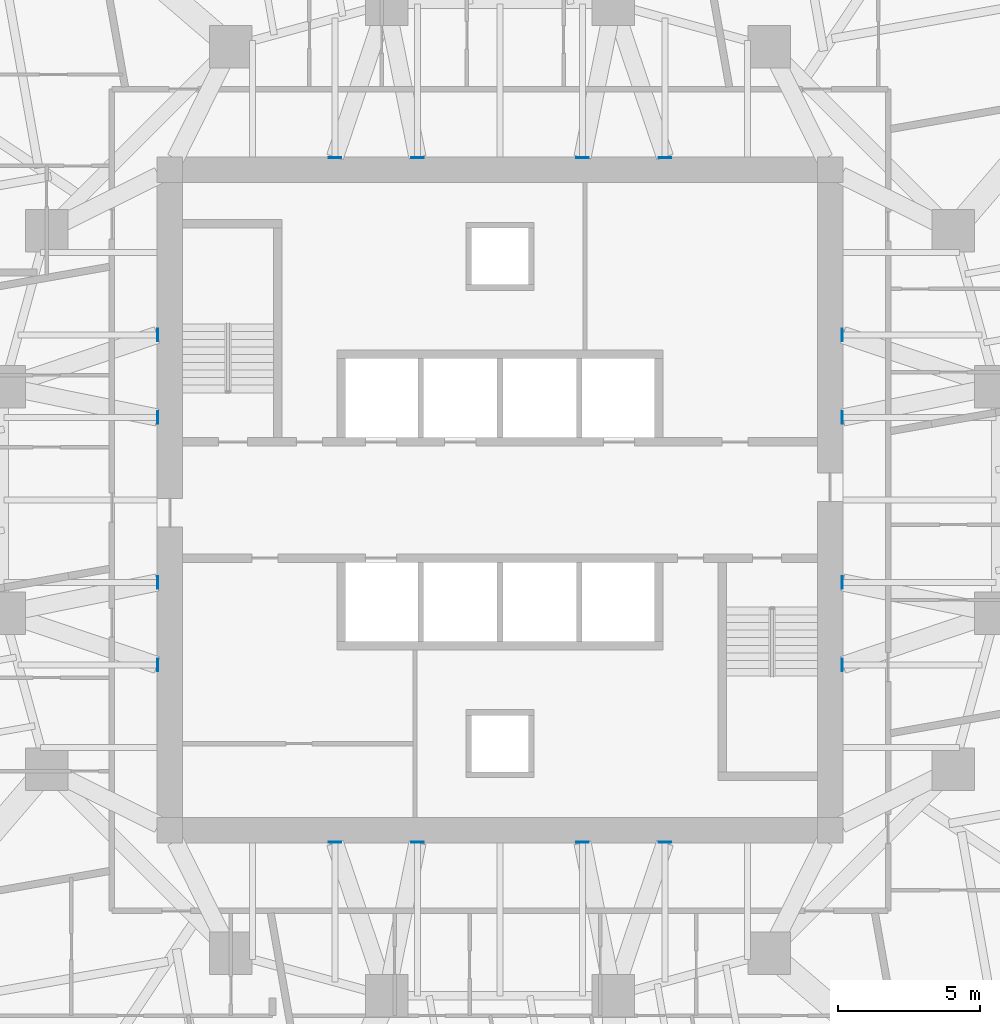
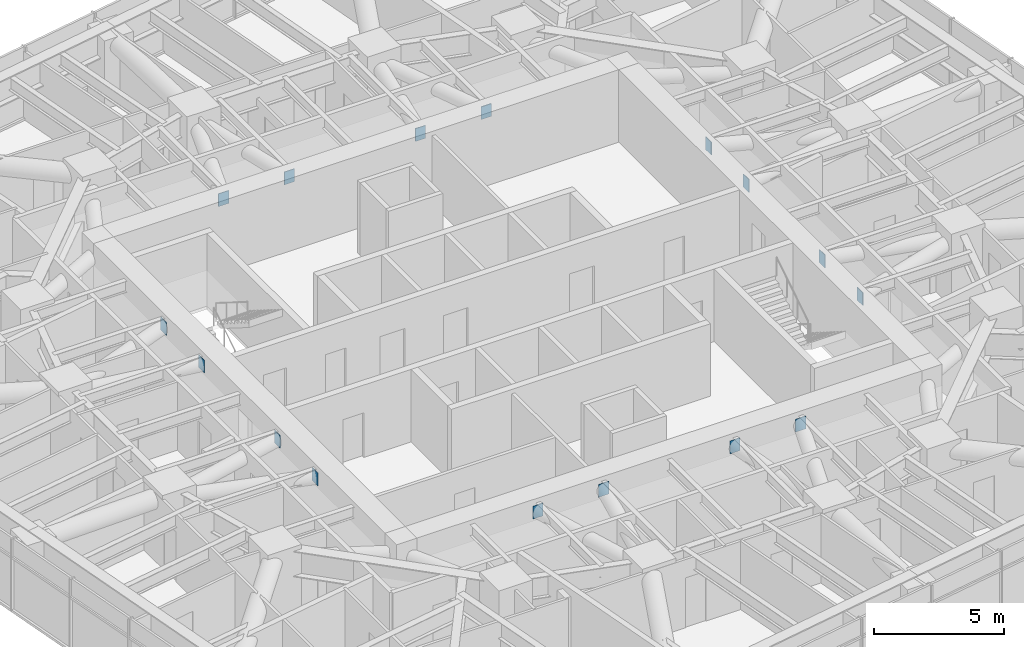
# One storey, part 16 of 17: 16 discrete accessories.
"""IFC4 building model written with IfcOpenShell, lengths in metres."""

from ifc_helpers import new_model, si_unit, direction, frame, origin, origin_2d, place, context, subcontext, project, spatial, rectangle, extrude, material, layer, layer_set, type_object, element, save


model = new_model("IFC4")

# Units and contexts
model_context = context("Model", 3, precision=1e-05, world=origin(), true_north=direction((0.0, 1.0)))
body_context = subcontext(model_context, "Body", "Model", "MODEL_VIEW")
ifc_project = project(units=[si_unit("LENGTHUNIT", "METRE"), si_unit("AREAUNIT", "SQUARE_METRE"), si_unit("VOLUMEUNIT", "CUBIC_METRE"), si_unit("PLANEANGLEUNIT", "RADIAN"), si_unit("MASSUNIT", "GRAM", prefix="KILO")], contexts=[model_context])

# Site, building, storey
site_placement = place(None, origin())
site = spatial("IfcSite", under=ifc_project, at=site_placement, CompositionType="ELEMENT")
building_placement = place(site_placement, origin())
building = spatial("IfcBuilding", under=site, at=building_placement, Name="Torsade Residences", CompositionType="ELEMENT")
storey_placement = place(building_placement, frame((0.0, 0.0, 103.199951171875)))
storey = spatial("IfcBuildingStorey", under=building, at=storey_placement, Name="L28", CompositionType="ELEMENT", Elevation=103.199951171875)

# Discrete accessories
ifc_material = material(Name="Steel grade 350", Category="steel")
ifc_layer = layer(ifc_material, 0.031982421875)
ifc_layer_set = layer_set([ifc_layer], Name="Steel grade 350")
discrete_accessory_type = type_object("IfcDiscreteAccessoryType", Name="CAST-IN PLATE 450x600x32", PredefinedType="ANCHORPLATE", material=ifc_layer_set)
for number, where, z_axis, x_axis, name in (
    (1, (52.083984375, 27.08740234375, 2.486083984375), (0.0, 0.0, 1.0), (1.0, 0.0, 0.0), "Cast-in plate PB1 PB-L29-IR01IE03"),
    (2, (52.083984375, 24.175048828125, 2.486083984375), (0.0, 0.0, 1.0), (1.0, 0.0, 0.0), "Cast-in plate PB1 PB-L29-IR01IE02"),
    (3, (52.083984375, 32.91259765625, 2.486083984375), (0.0, 0.0, 1.0), (1.0, 0.0, 0.0), "Cast-in plate PB1 PB-L29-IR02IE05"),
    (4, (52.083984375, 35.824951171875, 2.486083984375), (0.0, 0.0, 1.0), (1.0, 0.0, 0.0), "Cast-in plate PB1 PB-L29-IR02IE06"),
):
    element("IfcDiscreteAccessory", number, at=place(storey_placement, frame(where, z_axis=z_axis, x_axis=x_axis)), inside=storey, type_object=discrete_accessory_type, Name=name, PredefinedType="ANCHORPLATE", context=body_context, shape_type="SweptSolid", body=[
        extrude(rectangle(XDim=0.031982421875, YDim=0.449951171875, at=origin_2d()), origin(), (0.0, 0.0, 1.0), 0.60009765625),
    ])
for number, where, z_axis, x_axis, name in (
    (5, (42.91259765625, 42.083984375, 2.486083984375), (0.0, 0.0, 1.0), (1.0, 0.0, 0.0), "Cast-in plate PB1 PB-L29-IR05IN05"),
    (6, (45.824951171875, 42.083984375, 2.486083984375), (0.0, 0.0, 1.0), (1.0, 0.0, 0.0), "Cast-in plate PB1 PB-L29-IR05IN06"),
    (7, (37.08740234375, 42.083984375, 2.486083984375), (0.0, 0.0, 1.0), (1.0, 0.0, 0.0), "Cast-in plate PB1 PB-L29-IR06IN03"),
    (8, (34.175048828125, 42.083984375, 2.486083984375), (0.0, 0.0, 1.0), (1.0, 0.0, 0.0), "Cast-in plate PB1 PB-L29-IR06IN02"),
):
    element("IfcDiscreteAccessory", number, at=place(storey_placement, frame(where, z_axis=z_axis, x_axis=x_axis)), inside=storey, type_object=discrete_accessory_type, Name=name, PredefinedType="ANCHORPLATE", context=body_context, shape_type="SweptSolid", body=[
        extrude(rectangle(XDim=0.449951171875, YDim=0.031982421875, at=origin_2d()), origin(), (0.0, 0.0, 1.0), 0.60009765625),
    ])
for number, where, z_axis, x_axis, name in (
    (9, (27.916015625, 32.91259765625, 2.486083984375), (0.0, 0.0, 1.0), (1.0, 0.0, 0.0), "Cast-in plate PB1 PB-L29-IR09IW03"),
    (10, (27.916015625, 35.824951171875, 2.486083984375), (0.0, 0.0, 1.0), (1.0, 0.0, 0.0), "Cast-in plate PB1 PB-L29-IR09IW02"),
    (11, (27.916015625, 27.08740234375, 2.486083984375), (0.0, 0.0, 1.0), (1.0, 0.0, 0.0), "Cast-in plate PB1 PB-L29-IR10IW05"),
    (12, (27.916015625, 24.175048828125, 2.486083984375), (0.0, 0.0, 1.0), (1.0, 0.0, 0.0), "Cast-in plate PB1 PB-L29-IR10IW06"),
):
    element("IfcDiscreteAccessory", number, at=place(storey_placement, frame(where, z_axis=z_axis, x_axis=x_axis)), inside=storey, type_object=discrete_accessory_type, Name=name, PredefinedType="ANCHORPLATE", context=body_context, shape_type="SweptSolid", body=[
        extrude(rectangle(XDim=0.031982421875, YDim=0.449951171875, at=origin_2d()), origin(), (0.0, 0.0, 1.0), 0.60009765625),
    ])
for number, where, z_axis, x_axis, name in (
    (13, (37.08740234375, 17.916015625, 2.486083984375), (0.0, 0.0, 1.0), (1.0, 0.0, 0.0), "Cast-in plate PB1 PB-L29-IR13IS05"),
    (14, (34.175048828125, 17.916015625, 2.486083984375), (0.0, 0.0, 1.0), (1.0, 0.0, 0.0), "Cast-in plate PB1 PB-L29-IR13IS06"),
    (15, (42.91259765625, 17.916015625, 2.486083984375), (0.0, 0.0, 1.0), (1.0, 0.0, 0.0), "Cast-in plate PB1 PB-L29-IR14IS03"),
    (16, (45.824951171875, 17.916015625, 2.486083984375), (0.0, 0.0, 1.0), (1.0, 0.0, 0.0), "Cast-in plate PB1 PB-L29-IR14IS02"),
):
    element("IfcDiscreteAccessory", number, at=place(storey_placement, frame(where, z_axis=z_axis, x_axis=x_axis)), inside=storey, type_object=discrete_accessory_type, Name=name, PredefinedType="ANCHORPLATE", context=body_context, shape_type="SweptSolid", body=[
        extrude(rectangle(XDim=0.449951171875, YDim=0.031982421875, at=origin_2d()), origin(), (0.0, 0.0, 1.0), 0.60009765625),
    ])

save(model, "model.ifc")
